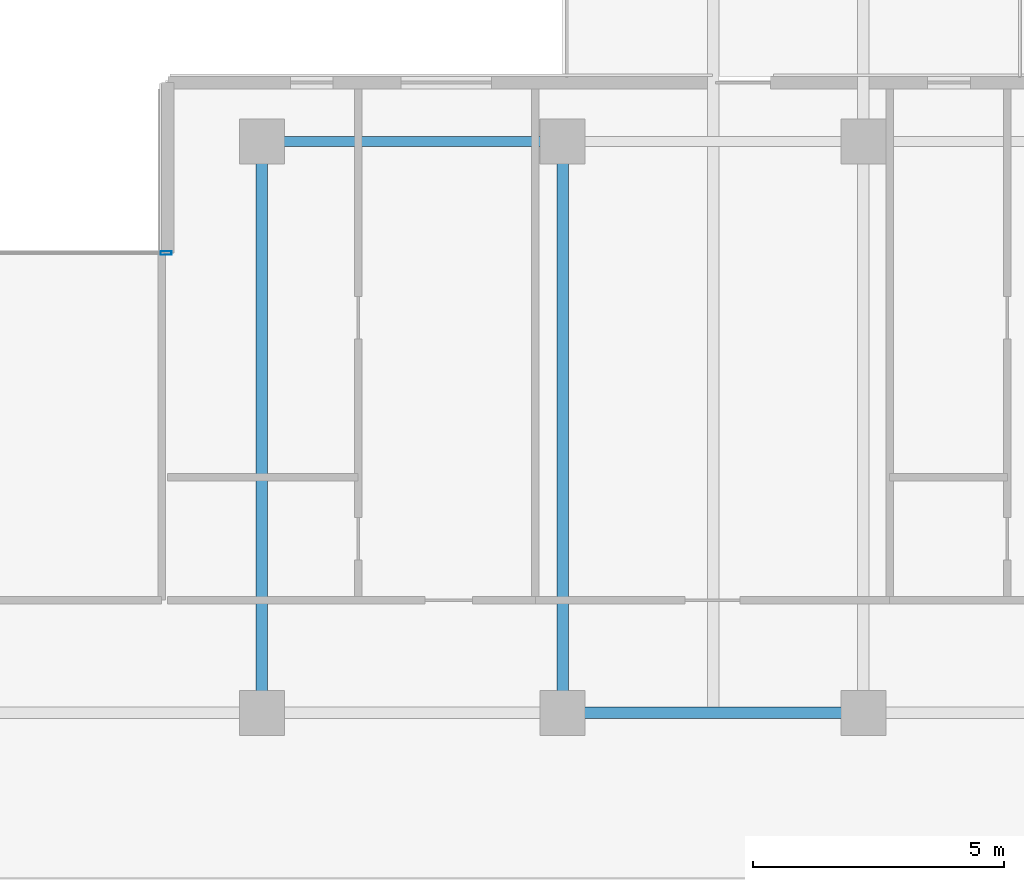
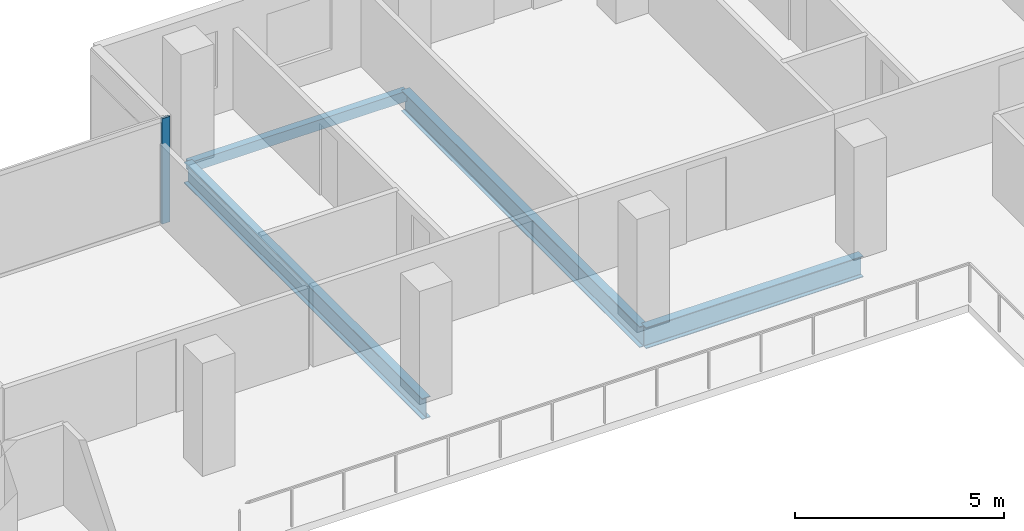
# One storey, part 7 of 19: 4 beams, 1 member, 1 element without a shape of its own.
"""IFC4 building model written with IfcOpenShell, lengths in metres."""

from ifc_helpers import new_model, si_unit, direction, frame, origin, origin_2d, place, context, subcontext, project, spatial, hollow_rectangle, i_section, extrude, material, layer, layer_set, material_profile, profile_set, type_object, element, aggregate, save


model = new_model("IFC4")

# Units and contexts
model_context = context("Model", 3, precision=1e-05, world=origin(), true_north=direction((0.0, 1.0)))
body_context = subcontext(model_context, "Body", "Model", "MODEL_VIEW")
ifc_project = project(units=[si_unit("LENGTHUNIT", "METRE"), si_unit("AREAUNIT", "SQUARE_METRE"), si_unit("VOLUMEUNIT", "CUBIC_METRE"), si_unit("PLANEANGLEUNIT", "RADIAN"), si_unit("MASSUNIT", "GRAM", prefix="KILO")], contexts=[model_context])

# Site, building, storey
site_placement = place(None, origin())
site = spatial("IfcSite", under=ifc_project, at=site_placement, CompositionType="ELEMENT")
building_placement = place(site_placement, origin())
building = spatial("IfcBuilding", under=site, at=building_placement, Name="Tanjung Sevakor Pilgrim Tower", CompositionType="ELEMENT")
storey_placement = place(building_placement, frame((0.0, 0.0, 132.0)))
storey = spatial("IfcBuildingStorey", under=building, at=storey_placement, Name="L36", CompositionType="ELEMENT", Elevation=132.0)

# Beams
ifc_material_1 = material(Name="Steel S355J2", Category="steel")
ifc_material_profile_1 = material_profile(ifc_material_1, i_section(OverallWidth=0.230224609375, OverallDepth=0.6171875, WebThickness=0.01318359375, FlangeThickness=0.022216796875, FilletRadius=0.0126953125, at=origin_2d()))
ifc_profile_set_1 = profile_set([ifc_material_profile_1], Name="Steel S355J2")
beam_type_1 = type_object("IfcBeamType", Name="BM-B-G3-UB_610x229x140", PredefinedType="BEAM", material=ifc_profile_set_1)
beam_1_placement = place(storey_placement, frame((60.0, 42.60009765625, -0.528564453125), z_axis=(1.0, 0.0, 0.0), x_axis=(0.0, 1.0, 0.0)))
element("IfcBeam", 1, at=beam_1_placement, inside=storey, type_object=beam_type_1, Name="L36 Primary Floor Girder MAIN Y426-05", PredefinedType="BEAM", context=body_context, shape_type="SweptSolid", body=[
    extrude(i_section(OverallWidth=0.230224609375, OverallDepth=0.6171875, WebThickness=0.01318359375, FlangeThickness=0.022216796875, FilletRadius=0.0126953125, at=origin_2d()), origin(), (0.0, 0.0, 1.0), 6.0),
])
ifc_material_2 = material(Name="Steel S355J2", Category="steel")
ifc_material_profile_2 = material_profile(ifc_material_2, i_section(OverallWidth=0.22900390625, OverallDepth=0.6123046875, WebThickness=0.011962890625, FlangeThickness=0.01953125, FilletRadius=0.0126953125, at=origin_2d()))
ifc_profile_set_2 = profile_set([ifc_material_profile_2], Name="Steel S355J2")
beam_type_2 = type_object("IfcBeamType", Name="BM-B-G4-UB_610x229x125", PredefinedType="BEAM", material=ifc_profile_set_2)
for number, where, z_axis, x_axis, name in (
    (2, (54.0, 42.60009765625, -0.526123046875), (0.0, 1.0, 0.0), (-1.0, 0.0, 0.0), "L36 MAIN Girder 011"),
    (3, (60.0, 42.60009765625, -0.526123046875), (0.0, 1.0, 0.0), (-1.0, 0.0, 0.0), "L36 MAIN Girder 013"),
):
    element("IfcBeam", number, at=place(storey_placement, frame(where, z_axis=z_axis, x_axis=x_axis)), inside=storey, type_object=beam_type_2, Name=name, PredefinedType="BEAM", context=body_context, shape_type="SweptSolid", body=[
        extrude(i_section(OverallWidth=0.22900390625, OverallDepth=0.6123046875, WebThickness=0.011962890625, FlangeThickness=0.01953125, FilletRadius=0.0126953125, at=origin_2d()), origin(), (0.0, 0.0, 1.0), 11.39990234375),
    ])
ifc_material_3 = material(Name="Steel S355J2", Category="steel")
ifc_material_profile_3 = material_profile(ifc_material_3, hollow_rectangle(XDim=0.199951171875, YDim=0.300048828125, WallThickness=0.012451171875, at=origin_2d()))
ifc_profile_set_3 = profile_set([ifc_material_profile_3], Name="Steel S355J2")
beam_type_3 = type_object("IfcBeamType", Name="BM-B-SP3-RHS_300x200x12.5", PredefinedType="SPANDREL", material=ifc_profile_set_3)
beam_2_placement = place(storey_placement, frame((54.0, 54.0, -0.3701171875), z_axis=(1.0, 0.0, 0.0), x_axis=(0.0, 1.0, 0.0)))
element("IfcBeam", 4, at=beam_2_placement, inside=storey, type_object=beam_type_3, Name="L36 Spandrel MAIN N-08", PredefinedType="SPANDREL", context=body_context, shape_type="SweptSolid", body=[
    extrude(hollow_rectangle(XDim=0.199951171875, YDim=0.300048828125, WallThickness=0.012451171875, at=origin_2d()), origin(), (0.0, 0.0, 1.0), 6.0),
])

# Curtain wall, member
ifc_material_4 = material(Name="Aluminium 6063-T6 and Low-E Glass", Category="aluminium")
ifc_layer = layer(ifc_material_4, 0.179931640625)
ifc_layer_set = layer_set([ifc_layer], Name="CW-SYS-CLEFT")
curtain_wall_type = type_object("IfcCurtainWallType", Name="CW-SYS-CLEFT", PredefinedType="NOTDEFINED", material=ifc_layer_set)
curtain_wall_placement = place(storey_placement, origin())
curtain_wall = element("IfcCurtainWall", 5, at=curtain_wall_placement, inside=storey, type_object=curtain_wall_type, Name="L36 Curtain Wall CW-CLF-L36-10", PredefinedType="NOTDEFINED")
ifc_material_5 = material(Name="Aluminium 6063-T6", Category="aluminium")
ifc_material_profile_4 = material_profile(ifc_material_5, hollow_rectangle(XDim=0.074951171875, YDim=0.219970703125, WallThickness=0.0048828125, at=origin_2d()))
ifc_profile_set_4 = profile_set([ifc_material_profile_4], Name="Aluminium 6063-T6")
member_type = type_object("IfcMemberType", Name="TYPE-CWM-2", PredefinedType="MULLION", material=ifc_profile_set_4)
member_placement = place(storey_placement, frame((52.08740234375, 51.77490234375, 0.0), z_axis=(0.0, 0.0, 1.0), x_axis=(0.0, -1.0, 0.0)))
member = element("IfcMember", 6, at=member_placement, type_object=member_type, Name="CW-CLF mullion 1", PredefinedType="MULLION", context=body_context, shape_type="SweptSolid", body=[
    extrude(hollow_rectangle(XDim=0.074951171875, YDim=0.219970703125, WallThickness=0.0048828125, at=origin_2d()), origin(), (0.0, 0.0, 1.0), 3.080078125),
])
aggregate(curtain_wall, [member])

save(model, "model.ifc")
